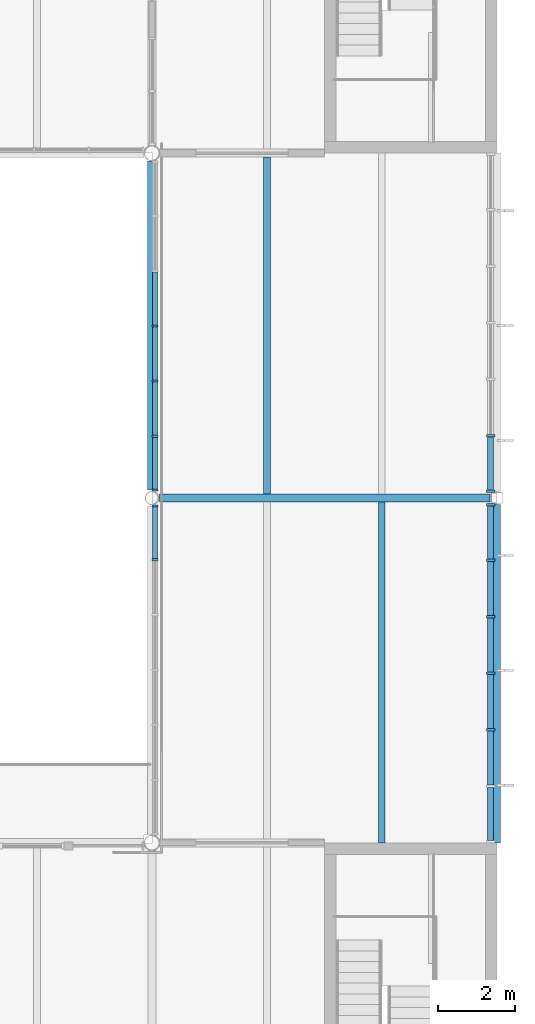
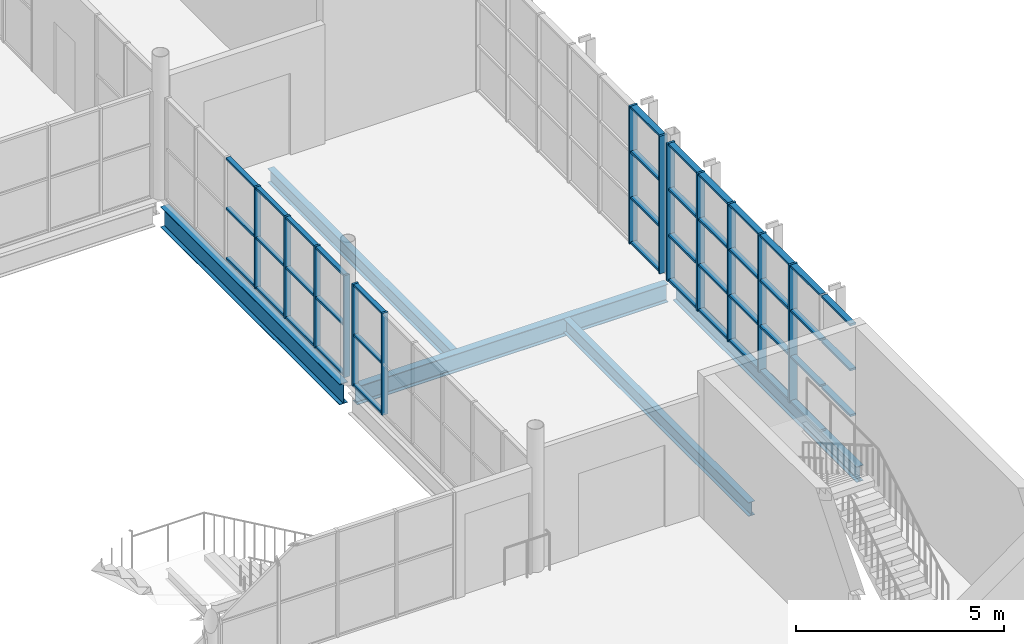
# One storey, part 19 of 57: 55 members, 5 beams, 4 elements without a shape of their own.
"""IFC4 building model written with IfcOpenShell, lengths in metres."""

import ifcopenshell
import ifcopenshell.guid

model = None  # the IFC model being written
_history = None  # IfcOwnerHistory: only IFC2X3 demands one
_inside = {}  # id of a spatial element -> (the spatial element, [elements in it])
_under = {}  # id of a project, library or spatial element -> (it, [spatial elements below it])
_declared = {}  # id of a project -> (the project, [libraries it declares])
_typed = {}  # id of a type object -> (the type object, [elements of that type])
_made_of = {}  # id of a material, layer set ... -> (it, [elements and type objects made of it])


def new_model(schema):
    """Start an empty IFC model of exactly this schema.

    Asked for "IFC4X3", IfcOpenShell would pick the latest addendum, in which some entities
    have other attributes; the version numbers below select the first issue.
    IFC2X3 requires an IfcOwnerHistory on every rooted entity: one is made here for all.
    """
    global model, _history
    if schema == "IFC4X3":
        model = ifcopenshell.file(schema_version=(4, 3, 0, 0))
    else:
        model = ifcopenshell.file(schema=schema)
    _inside.clear()
    _under.clear()
    _declared.clear()
    _typed.clear()
    _made_of.clear()
    _history = None
    if model.schema == "IFC2X3":
        org = make("IfcOrganization", Name="unknown")
        user = make(
            "IfcPersonAndOrganization",
            ThePerson=make("IfcPerson", FamilyName="unknown"),
            TheOrganization=org,
        )
        app = make(
            "IfcApplication",
            ApplicationDeveloper=org,
            Version="unknown",
            ApplicationFullName="unknown",
            ApplicationIdentifier="unknown",
        )
        _history = make(
            "IfcOwnerHistory",
            OwningUser=user,
            OwningApplication=app,
            ChangeAction="ADDED",
            CreationDate=0,
        )
    return model


def make(cls, **values):
    """One entity of the class cls with the attributes given. An attribute that is None is left unset."""
    return model.create_entity(
        cls, **{name: value for name, value in values.items() if value is not None}
    )


def rooted(cls, **values):
    """An entity with a GlobalId (a new one), such as an element, a storey or a relation."""
    return make(cls, GlobalId=ifcopenshell.guid.new(), OwnerHistory=_history, **values)


def si_unit(unit_type, name, prefix=None):
    """IfcSIUnit, for example si_unit("LENGTHUNIT", "METRE", prefix="MILLI")."""
    return make("IfcSIUnit", UnitType=unit_type, Prefix=prefix, Name=name)


def assignment(units):
    """IfcUnitAssignment: the units of a project."""
    return None if units is None else make("IfcUnitAssignment", Units=units)


def point(xyz):
    """IfcCartesianPoint."""
    return None if xyz is None else make("IfcCartesianPoint", Coordinates=xyz)


def direction(xyz):
    """IfcDirection."""
    return None if xyz is None else make("IfcDirection", DirectionRatios=xyz)


def frame(location, z_axis=None, x_axis=None):
    """IfcAxis2Placement3D, a coordinate frame: its origin and axes. An axis left out is left unset."""
    return make(
        "IfcAxis2Placement3D",
        Location=point(location),
        Axis=direction(z_axis),
        RefDirection=direction(x_axis),
    )


def frame_2d(location, x_axis=None):
    """IfcAxis2Placement2D, a coordinate frame in the plane: its origin and x axis."""
    return make(
        "IfcAxis2Placement2D", Location=point(location), RefDirection=direction(x_axis)
    )


def origin():
    """The frame at (0, 0, 0) with its axes left unset."""
    return frame((0.0, 0.0, 0.0))


def origin_2d():
    """The frame at (0, 0) in the plane with its x axis left unset."""
    return frame_2d((0.0, 0.0))


def place(relative_to, where):
    """IfcLocalPlacement: puts the frame where relative to a parent placement (None: the world)."""
    return make(
        "IfcLocalPlacement", PlacementRelTo=relative_to, RelativePlacement=where
    )


def context(
    kind, dimensions, precision=None, world=None, true_north=None, identifier=None
):
    """IfcGeometricRepresentationContext, for example the 3D "Model" context."""
    return make(
        "IfcGeometricRepresentationContext",
        ContextIdentifier=identifier,
        ContextType=kind,
        CoordinateSpaceDimension=dimensions,
        Precision=precision,
        WorldCoordinateSystem=world,
        TrueNorth=true_north,
    )


def subcontext(parent, identifier, kind, view, scale=None):
    """IfcGeometricRepresentationSubContext, for example "Body" below "Model"."""
    return make(
        "IfcGeometricRepresentationSubContext",
        ContextIdentifier=identifier,
        ContextType=kind,
        ParentContext=parent,
        TargetScale=scale,
        TargetView=view,
    )


def project(units=None, contexts=None):
    """IfcProject with its units and contexts."""
    return rooted(
        "IfcProject",
        Name="project",
        RepresentationContexts=contexts,
        UnitsInContext=assignment(units),
    )


def spatial(cls, under=None, at=None, **own):
    """A site, building, storey or space (cls), placed at a placement, below another one or the project."""
    s = rooted(cls, ObjectPlacement=at, **own)
    if under is not None:
        _under.setdefault(under.id(), (under, []))[1].append(s)
    return s


def profile(cls, at=None, kind="AREA", **sizes):
    """A parametric profile (cls). Its sizes go by their IFC names, for example OverallWidth=200.0."""
    return make(cls, ProfileType=kind, Position=at, **sizes)


def rectangle(**sizes):
    """IfcRectangleProfileDef."""
    return profile("IfcRectangleProfileDef", **sizes)


def i_section(**sizes):
    """IfcIShapeProfileDef."""
    return profile("IfcIShapeProfileDef", **sizes)


def extrude(swept, where, along, depth):
    """IfcExtrudedAreaSolid: the profile swept, set in the frame where, extruded along a direction by depth."""
    return make(
        "IfcExtrudedAreaSolid",
        SweptArea=swept,
        Position=where,
        ExtrudedDirection=direction(along),
        Depth=depth,
    )


def shape(context_of_items, identifier, shape_type, items):
    """IfcShapeRepresentation: the items that make up one representation, for example the "Body"."""
    return make(
        "IfcShapeRepresentation",
        ContextOfItems=context_of_items,
        RepresentationIdentifier=identifier,
        RepresentationType=shape_type,
        Items=items,
    )


def material(Name=None, Category=None):
    """IfcMaterial."""
    return make("IfcMaterial", Name=Name, Category=Category)


def layer(
    of_material, thickness, ventilated=None, Name=None, Category=None, Priority=None
):
    """IfcMaterialLayer: one layer of a wall or slab, of a material (None: an air gap)."""
    return make(
        "IfcMaterialLayer",
        Material=of_material,
        LayerThickness=thickness,
        IsVentilated=ventilated,
        Name=Name,
        Category=Category,
        Priority=Priority,
    )


def layer_set(layers, Name=None):
    """IfcMaterialLayerSet."""
    return make("IfcMaterialLayerSet", MaterialLayers=layers, LayerSetName=Name)


def material_profile(
    of_material, cross_section, Name=None, Category=None, Priority=None
):
    """IfcMaterialProfile: a cross section and its material."""
    return make(
        "IfcMaterialProfile",
        Name=Name,
        Material=of_material,
        Profile=cross_section,
        Priority=Priority,
        Category=Category,
    )


def profile_set(profiles, Name=None, composite=None):
    """IfcMaterialProfileSet."""
    return make(
        "IfcMaterialProfileSet",
        Name=Name,
        MaterialProfiles=profiles,
        CompositeProfile=composite,
    )


def made_of(thing, what):
    """Note that an element or type object is made of a material, layer set ...; save() writes the relation."""
    if what is not None:
        _made_of.setdefault(what.id(), (what, []))[1].append(thing)
    return thing


def type_object(cls, material=None, **own):
    """A type object (cls), such as IfcWallType, which elements share."""
    return made_of(rooted(cls, **own), material)


def element(
    cls,
    number,
    at=None,
    inside=None,
    cuts=None,
    type_object=None,
    material=None,
    context=None,
    identifier="Body",
    shape_type=None,
    held_by="IfcProductDefinitionShape",
    body=None,
    shapes=None,
    **own,
):
    """One element of the class cls, such as IfcWall. Its Tag is "e" and its number.

    at: its placement. inside: the storey or other place that contains it. cuts: it is an
    opening in that element (IfcRelVoidsElement). A single representation is given by context,
    identifier, shape_type and body (its items); several are given by shapes. held_by: the class
    of the entity that holds the representations. save() writes the other relations.
    """
    e = rooted(cls, Tag="e%d" % number, ObjectPlacement=at, **own)
    if body is not None:
        shapes = [shape(context, identifier, shape_type, body)]
    if shapes is not None:
        e.Representation = make(held_by, Representations=shapes)
    if inside is not None:
        _inside.setdefault(inside.id(), (inside, []))[1].append(e)
    if cuts is not None:
        rooted(
            "IfcRelVoidsElement", RelatingBuildingElement=cuts, RelatedOpeningElement=e
        )
    if type_object is not None:
        _typed.setdefault(type_object.id(), (type_object, []))[1].append(e)
    return made_of(e, material)


def aggregate(whole, parts):
    """IfcRelAggregates: a whole, such as a stair, and the parts it consists of."""
    return rooted("IfcRelAggregates", RelatingObject=whole, RelatedObjects=parts)


def save(model, path):
    """Write the relations noted so far, then the file.

    IfcRelAggregates (storeys below a building ...), IfcRelContainedInSpatialStructure (elements
    in a storey), IfcRelDefinesByType, IfcRelAssociatesMaterial and IfcRelDeclares: one each for
    every whole, place, type object, material and project.
    """
    for whole, parts in _under.values():
        aggregate(whole, parts)
    for where, things in _inside.values():
        rooted(
            "IfcRelContainedInSpatialStructure",
            RelatedElements=things,
            RelatingStructure=where,
        )
    for kind, things in _typed.values():
        rooted("IfcRelDefinesByType", RelatedObjects=things, RelatingType=kind)
    for what, things in _made_of.values():
        rooted("IfcRelAssociatesMaterial", RelatedObjects=things, RelatingMaterial=what)
    for by, libraries in _declared.values():
        rooted("IfcRelDeclares", RelatingContext=by, RelatedDefinitions=libraries)
    model.write(path)


model = new_model("IFC4")

# Units and contexts
model_context = context("Model", 3, precision=1e-05, world=origin(), true_north=direction((0.0, 1.0)))
body_context = subcontext(model_context, "Body", "Model", "MODEL_VIEW")
ifc_project = project(units=[si_unit("LENGTHUNIT", "METRE"), si_unit("AREAUNIT", "SQUARE_METRE"), si_unit("VOLUMEUNIT", "CUBIC_METRE"), si_unit("PLANEANGLEUNIT", "RADIAN"), si_unit("MASSUNIT", "GRAM", prefix="KILO")], contexts=[model_context])

# Site, building, storey
site_placement = place(None, origin())
site = spatial("IfcSite", under=ifc_project, at=site_placement, CompositionType="ELEMENT")
building_placement = place(site_placement, origin())
building = spatial("IfcBuilding", under=site, at=building_placement, Name="Halyard Row Museum", CompositionType="ELEMENT")
storey_placement = place(building_placement, frame((0.0, 0.0, 5.0)))
storey = spatial("IfcBuildingStorey", under=building, at=storey_placement, Name="L01", CompositionType="ELEMENT", Elevation=5.0)

# Curtain wall, members
ifc_material_1 = material(Name="Double glazed unit, low-emissivity", Category="glass")
ifc_layer_1 = layer(ifc_material_1, 0.219970703125)
ifc_layer_set_1 = layer_set([ifc_layer_1], Name="Double glazed unit, low-emissivity")
curtain_wall_type_1 = type_object("IfcCurtainWallType", Name="Curtain wall unitised 220 deep", PredefinedType="NOTDEFINED", material=ifc_layer_set_1)
curtain_wall_1_placement = place(storey_placement, origin())
curtain_wall_1 = element("IfcCurtainWall", 1, at=curtain_wall_1_placement, inside=storey, type_object=curtain_wall_type_1, Name="Curtain wall CW020", PredefinedType="NOTDEFINED")
ifc_material_2 = material(Name="Powder-coated aluminium section", Category="aluminium")
ifc_material_profile_1 = material_profile(ifc_material_2, rectangle(XDim=0.219970703125, YDim=0.06005859375, at=origin_2d()), Name="220x60 mullion")
ifc_profile_set_1 = profile_set([ifc_material_profile_1], Name="Powder-coated aluminium section")
member_type_1 = type_object("IfcMemberType", Name="Curtain wall mullion CM3 60 x 220", PredefinedType="MULLION", material=ifc_profile_set_1)
member_1_placement = place(storey_placement, frame((107.840087890625, 11.949951171875, 0.0), z_axis=(0.0, 0.0, 1.0), x_axis=(-1.0, 0.0, 0.0)))
member_1 = element("IfcMember", 2, at=member_1_placement, type_object=member_type_1, Name="CW020 mullion 3", PredefinedType="MULLION", context=body_context, shape_type="SweptSolid", body=[
    extrude(rectangle(XDim=0.219970703125, YDim=0.06005859375, at=origin_2d()), origin(), (0.0, 0.0, 1.0), 4.034912109375),
])
member_2_placement = place(storey_placement, frame((107.840087890625, 13.425048828125, 0.0), z_axis=(0.0, 0.0, 1.0), x_axis=(-1.0, 0.0, 0.0)))
member_2 = element("IfcMember", 3, at=member_2_placement, type_object=member_type_1, Name="CW020 mullion 4", PredefinedType="MULLION", context=body_context, shape_type="SweptSolid", body=[
    extrude(rectangle(XDim=0.219970703125, YDim=0.06005859375, at=origin_2d()), origin(), (0.0, 0.0, 1.0), 4.034912109375),
])
member_3_placement = place(storey_placement, frame((107.840087890625, 14.89990234375, 0.0), z_axis=(0.0, 0.0, 1.0), x_axis=(-1.0, 0.0, 0.0)))
member_3 = element("IfcMember", 4, at=member_3_placement, type_object=member_type_1, Name="CW020 mullion 5", PredefinedType="MULLION", context=body_context, shape_type="SweptSolid", body=[
    extrude(rectangle(XDim=0.219970703125, YDim=0.06005859375, at=origin_2d()), origin(), (0.0, 0.0, 1.0), 4.034912109375),
])
member_4_placement = place(storey_placement, frame((107.840087890625, 16.375, 0.0), z_axis=(0.0, 0.0, 1.0), x_axis=(-1.0, 0.0, 0.0)))
member_4 = element("IfcMember", 5, at=member_4_placement, type_object=member_type_1, Name="CW020 mullion 6", PredefinedType="MULLION", context=body_context, shape_type="SweptSolid", body=[
    extrude(rectangle(XDim=0.219970703125, YDim=0.06005859375, at=origin_2d()), origin(), (0.0, 0.0, 1.0), 4.034912109375),
])
member_5_placement = place(storey_placement, frame((107.840087890625, 17.820068359375, 0.0), z_axis=(0.0, 0.0, 1.0), x_axis=(-1.0, 0.0, 0.0)))
member_5 = element("IfcMember", 6, at=member_5_placement, type_object=member_type_1, Name="CW020 mullion 7", PredefinedType="MULLION", context=body_context, shape_type="SweptSolid", body=[
    extrude(rectangle(XDim=0.219970703125, YDim=0.06005859375, at=origin_2d()), origin(), (0.0, 0.0, 1.0), 4.034912109375),
])

curtain_wall_2_placement = place(storey_placement, origin())
curtain_wall_2 = element("IfcCurtainWall", 7, at=curtain_wall_2_placement, inside=storey, type_object=curtain_wall_type_1, Name="Curtain wall CW021", PredefinedType="NOTDEFINED")
member_6_placement = place(storey_placement, frame((107.840087890625, 18.179931640625, 0.0), z_axis=(0.0, 0.0, 1.0), x_axis=(-1.0, 0.0, 0.0)))
member_6 = element("IfcMember", 8, at=member_6_placement, type_object=member_type_1, Name="CW021 mullion 1", PredefinedType="MULLION", context=body_context, shape_type="SweptSolid", body=[
    extrude(rectangle(XDim=0.219970703125, YDim=0.06005859375, at=origin_2d()), origin(), (0.0, 0.0, 1.0), 4.034912109375),
])
member_7_placement = place(storey_placement, frame((107.840087890625, 19.625, 0.0), z_axis=(0.0, 0.0, 1.0), x_axis=(-1.0, 0.0, 0.0)))
member_7 = element("IfcMember", 9, at=member_7_placement, type_object=member_type_1, Name="CW021 mullion 2", PredefinedType="MULLION", context=body_context, shape_type="SweptSolid", body=[
    extrude(rectangle(XDim=0.219970703125, YDim=0.06005859375, at=origin_2d()), origin(), (0.0, 0.0, 1.0), 4.034912109375),
])

ifc_material_3 = material(Name="Fire-resisting laminated glazing", Category="glass")
ifc_layer_2 = layer(ifc_material_3, 0.159912109375)
ifc_layer_set_2 = layer_set([ifc_layer_2], Name="Fire-resisting laminated glazing")
curtain_wall_type_2 = type_object("IfcCurtainWallType", Name="Curtain wall atrium screen 160 deep", PredefinedType="NOTDEFINED", material=ifc_layer_set_2)
curtain_wall_3_placement = place(storey_placement, origin())
curtain_wall_3 = element("IfcCurtainWall", 10, at=curtain_wall_3_placement, inside=storey, type_object=curtain_wall_type_2, Name="Curtain wall CW078", PredefinedType="NOTDEFINED")
ifc_material_4 = material(Name="Powder-coated aluminium section", Category="aluminium")
ifc_material_profile_2 = material_profile(ifc_material_4, rectangle(XDim=0.159912109375, YDim=0.06005859375, at=origin_2d()), Name="160x60 mullion")
ifc_profile_set_2 = profile_set([ifc_material_profile_2], Name="Powder-coated aluminium section")
member_type_2 = type_object("IfcMemberType", Name="Curtain wall mullion CM5 60 x 160", PredefinedType="MULLION", material=ifc_profile_set_2)
member_8_placement = place(storey_placement, frame((99.080078125, 16.3857421875, 0.0), z_axis=(0.0, 0.0, 1.0), x_axis=(-1.0, 0.0, 0.0)))
member_8 = element("IfcMember", 11, at=member_8_placement, type_object=member_type_2, Name="CW078 mullion 6", PredefinedType="MULLION", context=body_context, shape_type="SweptSolid", body=[
    extrude(rectangle(XDim=0.159912109375, YDim=0.06005859375, at=origin_2d()), origin(), (0.0, 0.0, 1.0), 2.985107421875),
])
member_9_placement = place(storey_placement, frame((99.080078125, 17.792236328125, 0.0), z_axis=(0.0, 0.0, 1.0), x_axis=(-1.0, 0.0, 0.0)))
member_9 = element("IfcMember", 12, at=member_9_placement, type_object=member_type_2, Name="CW078 mullion 7", PredefinedType="MULLION", context=body_context, shape_type="SweptSolid", body=[
    extrude(rectangle(XDim=0.159912109375, YDim=0.06005859375, at=origin_2d()), origin(), (0.0, 0.0, 1.0), 2.985107421875),
])

curtain_wall_4_placement = place(storey_placement, origin())
curtain_wall_4 = element("IfcCurtainWall", 13, at=curtain_wall_4_placement, inside=storey, type_object=curtain_wall_type_2, Name="Curtain wall CW079", PredefinedType="NOTDEFINED")
member_10_placement = place(storey_placement, frame((99.080078125, 18.207763671875, 0.0), z_axis=(0.0, 0.0, 1.0), x_axis=(-1.0, 0.0, 0.0)))
member_10 = element("IfcMember", 14, at=member_10_placement, type_object=member_type_2, Name="CW079 mullion 1", PredefinedType="MULLION", context=body_context, shape_type="SweptSolid", body=[
    extrude(rectangle(XDim=0.159912109375, YDim=0.06005859375, at=origin_2d()), origin(), (0.0, 0.0, 1.0), 2.985107421875),
])
member_11_placement = place(storey_placement, frame((99.080078125, 19.6142578125, 0.0), z_axis=(0.0, 0.0, 1.0), x_axis=(-1.0, 0.0, 0.0)))
member_11 = element("IfcMember", 15, at=member_11_placement, type_object=member_type_2, Name="CW079 mullion 2", PredefinedType="MULLION", context=body_context, shape_type="SweptSolid", body=[
    extrude(rectangle(XDim=0.159912109375, YDim=0.06005859375, at=origin_2d()), origin(), (0.0, 0.0, 1.0), 2.985107421875),
])
member_12_placement = place(storey_placement, frame((99.080078125, 21.05078125, 0.0), z_axis=(0.0, 0.0, 1.0), x_axis=(-1.0, 0.0, 0.0)))
member_12 = element("IfcMember", 16, at=member_12_placement, type_object=member_type_2, Name="CW079 mullion 3", PredefinedType="MULLION", context=body_context, shape_type="SweptSolid", body=[
    extrude(rectangle(XDim=0.159912109375, YDim=0.06005859375, at=origin_2d()), origin(), (0.0, 0.0, 1.0), 2.985107421875),
])
member_13_placement = place(storey_placement, frame((99.080078125, 22.4873046875, 0.0), z_axis=(0.0, 0.0, 1.0), x_axis=(-1.0, 0.0, 0.0)))
member_13 = element("IfcMember", 17, at=member_13_placement, type_object=member_type_2, Name="CW079 mullion 4", PredefinedType="MULLION", context=body_context, shape_type="SweptSolid", body=[
    extrude(rectangle(XDim=0.159912109375, YDim=0.06005859375, at=origin_2d()), origin(), (0.0, 0.0, 1.0), 2.985107421875),
])

# Member
ifc_material_5 = material(Name="Powder-coated aluminium section", Category="aluminium")
ifc_material_profile_3 = material_profile(ifc_material_5, rectangle(XDim=0.159912109375, YDim=0.06005859375, at=origin_2d()), Name="160x60 transom")
ifc_profile_set_3 = profile_set([ifc_material_profile_3], Name="Powder-coated aluminium section")
member_type_3 = type_object("IfcMemberType", Name="Curtain wall transom CT3 60 x 160", PredefinedType="USERDEFINED", material=ifc_profile_set_3)
member_14_placement = place(storey_placement, frame((107.840087890625, 9.06005859375, 1.344970703125), z_axis=(0.0, 1.0, 0.0), x_axis=(-1.0, 0.0, 0.0)))
member_14 = element("IfcMember", 18, at=member_14_placement, type_object=member_type_3, Name="CW020 transom 1.2", ObjectType="TRANSOM", PredefinedType="USERDEFINED", context=body_context, shape_type="SweptSolid", body=[
    extrude(rectangle(XDim=0.159912109375, YDim=0.06005859375, at=origin_2d()), origin(), (0.0, 0.0, 1.0), 1.385009765625),
])

member_15_placement = place(storey_placement, frame((107.840087890625, 9.06005859375, 2.68994140625), z_axis=(0.0, 1.0, 0.0), x_axis=(-1.0, 0.0, 0.0)))
member_15 = element("IfcMember", 19, at=member_15_placement, type_object=member_type_3, Name="CW020 transom 1.3", ObjectType="TRANSOM", PredefinedType="USERDEFINED", context=body_context, shape_type="SweptSolid", body=[
    extrude(rectangle(XDim=0.159912109375, YDim=0.06005859375, at=origin_2d()), origin(), (0.0, 0.0, 1.0), 1.385009765625),
])

member_16_placement = place(storey_placement, frame((107.840087890625, 9.06005859375, 4.0048828125), z_axis=(0.0, 1.0, 0.0), x_axis=(-1.0, 0.0, 0.0)))
member_16 = element("IfcMember", 20, at=member_16_placement, type_object=member_type_3, Name="CW020 transom 1.4", ObjectType="TRANSOM", PredefinedType="USERDEFINED", context=body_context, shape_type="SweptSolid", body=[
    extrude(rectangle(XDim=0.159912109375, YDim=0.06005859375, at=origin_2d()), origin(), (0.0, 0.0, 1.0), 1.385009765625),
])

member_17_placement = place(storey_placement, frame((107.840087890625, 10.5048828125, 0.030029296875), z_axis=(0.0, 1.0, 0.0), x_axis=(-1.0, 0.0, 0.0)))
member_17 = element("IfcMember", 21, at=member_17_placement, type_object=member_type_3, Name="CW020 transom 2.1", ObjectType="TRANSOM", PredefinedType="USERDEFINED", context=body_context, shape_type="SweptSolid", body=[
    extrude(rectangle(XDim=0.159912109375, YDim=0.06005859375, at=origin_2d()), origin(), (0.0, 0.0, 1.0), 1.4150390625),
])

member_18_placement = place(storey_placement, frame((107.840087890625, 10.5048828125, 1.344970703125), z_axis=(0.0, 1.0, 0.0), x_axis=(-1.0, 0.0, 0.0)))
member_18 = element("IfcMember", 22, at=member_18_placement, type_object=member_type_3, Name="CW020 transom 2.2", ObjectType="TRANSOM", PredefinedType="USERDEFINED", context=body_context, shape_type="SweptSolid", body=[
    extrude(rectangle(XDim=0.159912109375, YDim=0.06005859375, at=origin_2d()), origin(), (0.0, 0.0, 1.0), 1.4150390625),
])

member_19_placement = place(storey_placement, frame((107.840087890625, 10.5048828125, 2.68994140625), z_axis=(0.0, 1.0, 0.0), x_axis=(-1.0, 0.0, 0.0)))
member_19 = element("IfcMember", 23, at=member_19_placement, type_object=member_type_3, Name="CW020 transom 2.3", ObjectType="TRANSOM", PredefinedType="USERDEFINED", context=body_context, shape_type="SweptSolid", body=[
    extrude(rectangle(XDim=0.159912109375, YDim=0.06005859375, at=origin_2d()), origin(), (0.0, 0.0, 1.0), 1.4150390625),
])

member_20_placement = place(storey_placement, frame((107.840087890625, 10.5048828125, 4.0048828125), z_axis=(0.0, 1.0, 0.0), x_axis=(-1.0, 0.0, 0.0)))
member_20 = element("IfcMember", 24, at=member_20_placement, type_object=member_type_3, Name="CW020 transom 2.4", ObjectType="TRANSOM", PredefinedType="USERDEFINED", context=body_context, shape_type="SweptSolid", body=[
    extrude(rectangle(XDim=0.159912109375, YDim=0.06005859375, at=origin_2d()), origin(), (0.0, 0.0, 1.0), 1.4150390625),
])

member_21_placement = place(storey_placement, frame((107.840087890625, 11.97998046875, 0.030029296875), z_axis=(0.0, 1.0, 0.0), x_axis=(-1.0, 0.0, 0.0)))
member_21 = element("IfcMember", 25, at=member_21_placement, type_object=member_type_3, Name="CW020 transom 3.1", ObjectType="TRANSOM", PredefinedType="USERDEFINED", context=body_context, shape_type="SweptSolid", body=[
    extrude(rectangle(XDim=0.159912109375, YDim=0.06005859375, at=origin_2d()), origin(), (0.0, 0.0, 1.0), 1.4150390625),
])

member_22_placement = place(storey_placement, frame((107.840087890625, 11.97998046875, 1.344970703125), z_axis=(0.0, 1.0, 0.0), x_axis=(-1.0, 0.0, 0.0)))
member_22 = element("IfcMember", 26, at=member_22_placement, type_object=member_type_3, Name="CW020 transom 3.2", ObjectType="TRANSOM", PredefinedType="USERDEFINED", context=body_context, shape_type="SweptSolid", body=[
    extrude(rectangle(XDim=0.159912109375, YDim=0.06005859375, at=origin_2d()), origin(), (0.0, 0.0, 1.0), 1.4150390625),
])

member_23_placement = place(storey_placement, frame((107.840087890625, 11.97998046875, 2.68994140625), z_axis=(0.0, 1.0, 0.0), x_axis=(-1.0, 0.0, 0.0)))
member_23 = element("IfcMember", 27, at=member_23_placement, type_object=member_type_3, Name="CW020 transom 3.3", ObjectType="TRANSOM", PredefinedType="USERDEFINED", context=body_context, shape_type="SweptSolid", body=[
    extrude(rectangle(XDim=0.159912109375, YDim=0.06005859375, at=origin_2d()), origin(), (0.0, 0.0, 1.0), 1.4150390625),
])

member_24_placement = place(storey_placement, frame((107.840087890625, 11.97998046875, 4.0048828125), z_axis=(0.0, 1.0, 0.0), x_axis=(-1.0, 0.0, 0.0)))
member_24 = element("IfcMember", 28, at=member_24_placement, type_object=member_type_3, Name="CW020 transom 3.4", ObjectType="TRANSOM", PredefinedType="USERDEFINED", context=body_context, shape_type="SweptSolid", body=[
    extrude(rectangle(XDim=0.159912109375, YDim=0.06005859375, at=origin_2d()), origin(), (0.0, 0.0, 1.0), 1.4150390625),
])

member_25_placement = place(storey_placement, frame((107.840087890625, 13.455078125, 0.030029296875), z_axis=(0.0, 1.0, 0.0), x_axis=(-1.0, 0.0, 0.0)))
member_25 = element("IfcMember", 29, at=member_25_placement, type_object=member_type_3, Name="CW020 transom 4.1", ObjectType="TRANSOM", PredefinedType="USERDEFINED", context=body_context, shape_type="SweptSolid", body=[
    extrude(rectangle(XDim=0.159912109375, YDim=0.06005859375, at=origin_2d()), origin(), (0.0, 0.0, 1.0), 1.4150390625),
])

member_26_placement = place(storey_placement, frame((107.840087890625, 13.455078125, 1.344970703125), z_axis=(0.0, 1.0, 0.0), x_axis=(-1.0, 0.0, 0.0)))
member_26 = element("IfcMember", 30, at=member_26_placement, type_object=member_type_3, Name="CW020 transom 4.2", ObjectType="TRANSOM", PredefinedType="USERDEFINED", context=body_context, shape_type="SweptSolid", body=[
    extrude(rectangle(XDim=0.159912109375, YDim=0.06005859375, at=origin_2d()), origin(), (0.0, 0.0, 1.0), 1.4150390625),
])

member_27_placement = place(storey_placement, frame((107.840087890625, 13.455078125, 2.68994140625), z_axis=(0.0, 1.0, 0.0), x_axis=(-1.0, 0.0, 0.0)))
member_27 = element("IfcMember", 31, at=member_27_placement, type_object=member_type_3, Name="CW020 transom 4.3", ObjectType="TRANSOM", PredefinedType="USERDEFINED", context=body_context, shape_type="SweptSolid", body=[
    extrude(rectangle(XDim=0.159912109375, YDim=0.06005859375, at=origin_2d()), origin(), (0.0, 0.0, 1.0), 1.4150390625),
])

member_28_placement = place(storey_placement, frame((107.840087890625, 13.455078125, 4.0048828125), z_axis=(0.0, 1.0, 0.0), x_axis=(-1.0, 0.0, 0.0)))
member_28 = element("IfcMember", 32, at=member_28_placement, type_object=member_type_3, Name="CW020 transom 4.4", ObjectType="TRANSOM", PredefinedType="USERDEFINED", context=body_context, shape_type="SweptSolid", body=[
    extrude(rectangle(XDim=0.159912109375, YDim=0.06005859375, at=origin_2d()), origin(), (0.0, 0.0, 1.0), 1.4150390625),
])

member_29_placement = place(storey_placement, frame((107.840087890625, 14.929931640625, 0.030029296875), z_axis=(0.0, 1.0, 0.0), x_axis=(-1.0, 0.0, 0.0)))
member_29 = element("IfcMember", 33, at=member_29_placement, type_object=member_type_3, Name="CW020 transom 5.1", ObjectType="TRANSOM", PredefinedType="USERDEFINED", context=body_context, shape_type="SweptSolid", body=[
    extrude(rectangle(XDim=0.159912109375, YDim=0.06005859375, at=origin_2d()), origin(), (0.0, 0.0, 1.0), 1.4150390625),
])

member_30_placement = place(storey_placement, frame((107.840087890625, 14.929931640625, 1.344970703125), z_axis=(0.0, 1.0, 0.0), x_axis=(-1.0, 0.0, 0.0)))
member_30 = element("IfcMember", 34, at=member_30_placement, type_object=member_type_3, Name="CW020 transom 5.2", ObjectType="TRANSOM", PredefinedType="USERDEFINED", context=body_context, shape_type="SweptSolid", body=[
    extrude(rectangle(XDim=0.159912109375, YDim=0.06005859375, at=origin_2d()), origin(), (0.0, 0.0, 1.0), 1.4150390625),
])

member_31_placement = place(storey_placement, frame((107.840087890625, 14.929931640625, 2.68994140625), z_axis=(0.0, 1.0, 0.0), x_axis=(-1.0, 0.0, 0.0)))
member_31 = element("IfcMember", 35, at=member_31_placement, type_object=member_type_3, Name="CW020 transom 5.3", ObjectType="TRANSOM", PredefinedType="USERDEFINED", context=body_context, shape_type="SweptSolid", body=[
    extrude(rectangle(XDim=0.159912109375, YDim=0.06005859375, at=origin_2d()), origin(), (0.0, 0.0, 1.0), 1.4150390625),
])

member_32_placement = place(storey_placement, frame((107.840087890625, 14.929931640625, 4.0048828125), z_axis=(0.0, 1.0, 0.0), x_axis=(-1.0, 0.0, 0.0)))
member_32 = element("IfcMember", 36, at=member_32_placement, type_object=member_type_3, Name="CW020 transom 5.4", ObjectType="TRANSOM", PredefinedType="USERDEFINED", context=body_context, shape_type="SweptSolid", body=[
    extrude(rectangle(XDim=0.159912109375, YDim=0.06005859375, at=origin_2d()), origin(), (0.0, 0.0, 1.0), 1.4150390625),
])

member_33_placement = place(storey_placement, frame((107.840087890625, 16.405029296875, 0.030029296875), z_axis=(0.0, 1.0, 0.0), x_axis=(-1.0, 0.0, 0.0)))
member_33 = element("IfcMember", 37, at=member_33_placement, type_object=member_type_3, Name="CW020 transom 6.1", ObjectType="TRANSOM", PredefinedType="USERDEFINED", context=body_context, shape_type="SweptSolid", body=[
    extrude(rectangle(XDim=0.159912109375, YDim=0.06005859375, at=origin_2d()), origin(), (0.0, 0.0, 1.0), 1.385009765625),
])

member_34_placement = place(storey_placement, frame((107.840087890625, 16.405029296875, 1.344970703125), z_axis=(0.0, 1.0, 0.0), x_axis=(-1.0, 0.0, 0.0)))
member_34 = element("IfcMember", 38, at=member_34_placement, type_object=member_type_3, Name="CW020 transom 6.2", ObjectType="TRANSOM", PredefinedType="USERDEFINED", context=body_context, shape_type="SweptSolid", body=[
    extrude(rectangle(XDim=0.159912109375, YDim=0.06005859375, at=origin_2d()), origin(), (0.0, 0.0, 1.0), 1.385009765625),
])

member_35_placement = place(storey_placement, frame((107.840087890625, 16.405029296875, 2.68994140625), z_axis=(0.0, 1.0, 0.0), x_axis=(-1.0, 0.0, 0.0)))
member_35 = element("IfcMember", 39, at=member_35_placement, type_object=member_type_3, Name="CW020 transom 6.3", ObjectType="TRANSOM", PredefinedType="USERDEFINED", context=body_context, shape_type="SweptSolid", body=[
    extrude(rectangle(XDim=0.159912109375, YDim=0.06005859375, at=origin_2d()), origin(), (0.0, 0.0, 1.0), 1.385009765625),
])

member_36_placement = place(storey_placement, frame((107.840087890625, 16.405029296875, 4.0048828125), z_axis=(0.0, 1.0, 0.0), x_axis=(-1.0, 0.0, 0.0)))
member_36 = element("IfcMember", 40, at=member_36_placement, type_object=member_type_3, Name="CW020 transom 6.4", ObjectType="TRANSOM", PredefinedType="USERDEFINED", context=body_context, shape_type="SweptSolid", body=[
    extrude(rectangle(XDim=0.159912109375, YDim=0.06005859375, at=origin_2d()), origin(), (0.0, 0.0, 1.0), 1.385009765625),
])

aggregate(curtain_wall_1, [member_1, member_2, member_3, member_4, member_5, member_14, member_15, member_16, member_17, member_18, member_19, member_20, member_21, member_22, member_23, member_24, member_25, member_26, member_27, member_28, member_29, member_30, member_31, member_32, member_33, member_34, member_35, member_36])

member_37_placement = place(storey_placement, frame((107.840087890625, 18.2099609375, 0.030029296875), z_axis=(0.0, 1.0, 0.0), x_axis=(-1.0, 0.0, 0.0)))
member_37 = element("IfcMember", 41, at=member_37_placement, type_object=member_type_3, Name="CW021 transom 1.1", ObjectType="TRANSOM", PredefinedType="USERDEFINED", context=body_context, shape_type="SweptSolid", body=[
    extrude(rectangle(XDim=0.159912109375, YDim=0.06005859375, at=origin_2d()), origin(), (0.0, 0.0, 1.0), 1.385009765625),
])

member_38_placement = place(storey_placement, frame((107.840087890625, 18.2099609375, 1.344970703125), z_axis=(0.0, 1.0, 0.0), x_axis=(-1.0, 0.0, 0.0)))
member_38 = element("IfcMember", 42, at=member_38_placement, type_object=member_type_3, Name="CW021 transom 1.2", ObjectType="TRANSOM", PredefinedType="USERDEFINED", context=body_context, shape_type="SweptSolid", body=[
    extrude(rectangle(XDim=0.159912109375, YDim=0.06005859375, at=origin_2d()), origin(), (0.0, 0.0, 1.0), 1.385009765625),
])

member_39_placement = place(storey_placement, frame((107.840087890625, 18.2099609375, 2.68994140625), z_axis=(0.0, 1.0, 0.0), x_axis=(-1.0, 0.0, 0.0)))
member_39 = element("IfcMember", 43, at=member_39_placement, type_object=member_type_3, Name="CW021 transom 1.3", ObjectType="TRANSOM", PredefinedType="USERDEFINED", context=body_context, shape_type="SweptSolid", body=[
    extrude(rectangle(XDim=0.159912109375, YDim=0.06005859375, at=origin_2d()), origin(), (0.0, 0.0, 1.0), 1.385009765625),
])

member_40_placement = place(storey_placement, frame((107.840087890625, 18.2099609375, 4.0048828125), z_axis=(0.0, 1.0, 0.0), x_axis=(-1.0, 0.0, 0.0)))
member_40 = element("IfcMember", 44, at=member_40_placement, type_object=member_type_3, Name="CW021 transom 1.4", ObjectType="TRANSOM", PredefinedType="USERDEFINED", context=body_context, shape_type="SweptSolid", body=[
    extrude(rectangle(XDim=0.159912109375, YDim=0.06005859375, at=origin_2d()), origin(), (0.0, 0.0, 1.0), 1.385009765625),
])

aggregate(curtain_wall_2, [member_6, member_7, member_37, member_38, member_39, member_40])

ifc_material_6 = material(Name="Powder-coated aluminium section", Category="aluminium")
ifc_material_profile_4 = material_profile(ifc_material_6, rectangle(XDim=0.1201171875, YDim=0.06005859375, at=origin_2d()), Name="120x60 transom")
ifc_profile_set_4 = profile_set([ifc_material_profile_4], Name="Powder-coated aluminium section")
member_type_4 = type_object("IfcMemberType", Name="Curtain wall transom CT5 60 x 120", PredefinedType="USERDEFINED", material=ifc_profile_set_4)
member_41_placement = place(storey_placement, frame((99.080078125, 16.415771484375, 0.030029296875), z_axis=(0.0, 1.0, 0.0), x_axis=(-1.0, 0.0, 0.0)))
member_41 = element("IfcMember", 45, at=member_41_placement, type_object=member_type_4, Name="CW078 transom 6.1", ObjectType="TRANSOM", PredefinedType="USERDEFINED", context=body_context, shape_type="SweptSolid", body=[
    extrude(rectangle(XDim=0.1201171875, YDim=0.06005859375, at=origin_2d()), origin(), (0.0, 0.0, 1.0), 1.346435546875),
])

member_42_placement = place(storey_placement, frame((99.080078125, 16.415771484375, 1.492431640625), z_axis=(0.0, 1.0, 0.0), x_axis=(-1.0, 0.0, 0.0)))
member_42 = element("IfcMember", 46, at=member_42_placement, type_object=member_type_4, Name="CW078 transom 6.2", ObjectType="TRANSOM", PredefinedType="USERDEFINED", context=body_context, shape_type="SweptSolid", body=[
    extrude(rectangle(XDim=0.1201171875, YDim=0.06005859375, at=origin_2d()), origin(), (0.0, 0.0, 1.0), 1.346435546875),
])

member_43_placement = place(storey_placement, frame((99.080078125, 16.415771484375, 2.955078125), z_axis=(0.0, 1.0, 0.0), x_axis=(-1.0, 0.0, 0.0)))
member_43 = element("IfcMember", 47, at=member_43_placement, type_object=member_type_4, Name="CW078 transom 6.3", ObjectType="TRANSOM", PredefinedType="USERDEFINED", context=body_context, shape_type="SweptSolid", body=[
    extrude(rectangle(XDim=0.1201171875, YDim=0.06005859375, at=origin_2d()), origin(), (0.0, 0.0, 1.0), 1.346435546875),
])

aggregate(curtain_wall_3, [member_8, member_9, member_41, member_42, member_43])

member_44_placement = place(storey_placement, frame((99.080078125, 18.23779296875, 0.030029296875), z_axis=(0.0, 1.0, 0.0), x_axis=(-1.0, 0.0, 0.0)))
member_44 = element("IfcMember", 48, at=member_44_placement, type_object=member_type_4, Name="CW079 transom 1.1", ObjectType="TRANSOM", PredefinedType="USERDEFINED", context=body_context, shape_type="SweptSolid", body=[
    extrude(rectangle(XDim=0.1201171875, YDim=0.06005859375, at=origin_2d()), origin(), (0.0, 0.0, 1.0), 1.346435546875),
])

member_45_placement = place(storey_placement, frame((99.080078125, 18.23779296875, 1.492431640625), z_axis=(0.0, 1.0, 0.0), x_axis=(-1.0, 0.0, 0.0)))
member_45 = element("IfcMember", 49, at=member_45_placement, type_object=member_type_4, Name="CW079 transom 1.2", ObjectType="TRANSOM", PredefinedType="USERDEFINED", context=body_context, shape_type="SweptSolid", body=[
    extrude(rectangle(XDim=0.1201171875, YDim=0.06005859375, at=origin_2d()), origin(), (0.0, 0.0, 1.0), 1.346435546875),
])

member_46_placement = place(storey_placement, frame((99.080078125, 18.23779296875, 2.955078125), z_axis=(0.0, 1.0, 0.0), x_axis=(-1.0, 0.0, 0.0)))
member_46 = element("IfcMember", 50, at=member_46_placement, type_object=member_type_4, Name="CW079 transom 1.3", ObjectType="TRANSOM", PredefinedType="USERDEFINED", context=body_context, shape_type="SweptSolid", body=[
    extrude(rectangle(XDim=0.1201171875, YDim=0.06005859375, at=origin_2d()), origin(), (0.0, 0.0, 1.0), 1.346435546875),
])

member_47_placement = place(storey_placement, frame((99.080078125, 19.644287109375, 0.030029296875), z_axis=(0.0, 1.0, 0.0), x_axis=(-1.0, 0.0, 0.0)))
member_47 = element("IfcMember", 51, at=member_47_placement, type_object=member_type_4, Name="CW079 transom 2.1", ObjectType="TRANSOM", PredefinedType="USERDEFINED", context=body_context, shape_type="SweptSolid", body=[
    extrude(rectangle(XDim=0.1201171875, YDim=0.06005859375, at=origin_2d()), origin(), (0.0, 0.0, 1.0), 1.37646484375),
])

member_48_placement = place(storey_placement, frame((99.080078125, 19.644287109375, 1.492431640625), z_axis=(0.0, 1.0, 0.0), x_axis=(-1.0, 0.0, 0.0)))
member_48 = element("IfcMember", 52, at=member_48_placement, type_object=member_type_4, Name="CW079 transom 2.2", ObjectType="TRANSOM", PredefinedType="USERDEFINED", context=body_context, shape_type="SweptSolid", body=[
    extrude(rectangle(XDim=0.1201171875, YDim=0.06005859375, at=origin_2d()), origin(), (0.0, 0.0, 1.0), 1.37646484375),
])

member_49_placement = place(storey_placement, frame((99.080078125, 19.644287109375, 2.955078125), z_axis=(0.0, 1.0, 0.0), x_axis=(-1.0, 0.0, 0.0)))
member_49 = element("IfcMember", 53, at=member_49_placement, type_object=member_type_4, Name="CW079 transom 2.3", ObjectType="TRANSOM", PredefinedType="USERDEFINED", context=body_context, shape_type="SweptSolid", body=[
    extrude(rectangle(XDim=0.1201171875, YDim=0.06005859375, at=origin_2d()), origin(), (0.0, 0.0, 1.0), 1.37646484375),
])

member_50_placement = place(storey_placement, frame((99.080078125, 21.080810546875, 0.030029296875), z_axis=(0.0, 1.0, 0.0), x_axis=(-1.0, 0.0, 0.0)))
member_50 = element("IfcMember", 54, at=member_50_placement, type_object=member_type_4, Name="CW079 transom 3.1", ObjectType="TRANSOM", PredefinedType="USERDEFINED", context=body_context, shape_type="SweptSolid", body=[
    extrude(rectangle(XDim=0.1201171875, YDim=0.06005859375, at=origin_2d()), origin(), (0.0, 0.0, 1.0), 1.37646484375),
])

member_51_placement = place(storey_placement, frame((99.080078125, 21.080810546875, 1.492431640625), z_axis=(0.0, 1.0, 0.0), x_axis=(-1.0, 0.0, 0.0)))
member_51 = element("IfcMember", 55, at=member_51_placement, type_object=member_type_4, Name="CW079 transom 3.2", ObjectType="TRANSOM", PredefinedType="USERDEFINED", context=body_context, shape_type="SweptSolid", body=[
    extrude(rectangle(XDim=0.1201171875, YDim=0.06005859375, at=origin_2d()), origin(), (0.0, 0.0, 1.0), 1.37646484375),
])

member_52_placement = place(storey_placement, frame((99.080078125, 21.080810546875, 2.955078125), z_axis=(0.0, 1.0, 0.0), x_axis=(-1.0, 0.0, 0.0)))
member_52 = element("IfcMember", 56, at=member_52_placement, type_object=member_type_4, Name="CW079 transom 3.3", ObjectType="TRANSOM", PredefinedType="USERDEFINED", context=body_context, shape_type="SweptSolid", body=[
    extrude(rectangle(XDim=0.1201171875, YDim=0.06005859375, at=origin_2d()), origin(), (0.0, 0.0, 1.0), 1.37646484375),
])

member_53_placement = place(storey_placement, frame((99.080078125, 22.517333984375, 0.030029296875), z_axis=(0.0, 1.0, 0.0), x_axis=(-1.0, 0.0, 0.0)))
member_53 = element("IfcMember", 57, at=member_53_placement, type_object=member_type_4, Name="CW079 transom 4.1", ObjectType="TRANSOM", PredefinedType="USERDEFINED", context=body_context, shape_type="SweptSolid", body=[
    extrude(rectangle(XDim=0.1201171875, YDim=0.06005859375, at=origin_2d()), origin(), (0.0, 0.0, 1.0), 1.37646484375),
])

member_54_placement = place(storey_placement, frame((99.080078125, 22.517333984375, 1.492431640625), z_axis=(0.0, 1.0, 0.0), x_axis=(-1.0, 0.0, 0.0)))
member_54 = element("IfcMember", 58, at=member_54_placement, type_object=member_type_4, Name="CW079 transom 4.2", ObjectType="TRANSOM", PredefinedType="USERDEFINED", context=body_context, shape_type="SweptSolid", body=[
    extrude(rectangle(XDim=0.1201171875, YDim=0.06005859375, at=origin_2d()), origin(), (0.0, 0.0, 1.0), 1.37646484375),
])

member_55_placement = place(storey_placement, frame((99.080078125, 22.517333984375, 2.955078125), z_axis=(0.0, 1.0, 0.0), x_axis=(-1.0, 0.0, 0.0)))
member_55 = element("IfcMember", 59, at=member_55_placement, type_object=member_type_4, Name="CW079 transom 4.3", ObjectType="TRANSOM", PredefinedType="USERDEFINED", context=body_context, shape_type="SweptSolid", body=[
    extrude(rectangle(XDim=0.1201171875, YDim=0.06005859375, at=origin_2d()), origin(), (0.0, 0.0, 1.0), 1.37646484375),
])

aggregate(curtain_wall_4, [member_10, member_11, member_12, member_13, member_44, member_45, member_46, member_47, member_48, member_49, member_50, member_51, member_52, member_53, member_54, member_55])

# Beams
ifc_material_7 = material(Name="Steel Grade 300", Category="steel")
ifc_material_profile_5 = material_profile(ifc_material_7, i_section(OverallWidth=0.18994140625, OverallDepth=0.45751953125, WebThickness=0.009033203125, FlangeThickness=0.014404296875, FilletRadius=0.011474609375, at=origin_2d()), Name="460UB74.6")
ifc_profile_set_5 = profile_set([ifc_material_profile_5], Name="Steel Grade 300")
beam_type_1 = type_object("IfcBeamType", Name="Edge beam 460UB74.6", PredefinedType="BEAM", material=ifc_profile_set_5)
beam_1_placement = place(storey_placement, frame((108.0, 9.0, -0.393798828125), z_axis=(0.0, 1.0, 0.0), x_axis=(-1.0, 0.0, 0.0)))
element("IfcBeam", 60, at=beam_1_placement, inside=storey, type_object=beam_type_1, Name="Beam L01-081", PredefinedType="BEAM", context=body_context, shape_type="SweptSolid", body=[
    extrude(i_section(OverallWidth=0.18994140625, OverallDepth=0.45751953125, WebThickness=0.009033203125, FlangeThickness=0.014404296875, FilletRadius=0.011474609375, at=origin_2d()), origin(), (0.0, 0.0, 1.0), 8.824951171875),
])
ifc_material_8 = material(Name="Steel Grade 300", Category="steel")
ifc_material_profile_6 = material_profile(ifc_material_8, i_section(OverallWidth=0.208984375, OverallDepth=0.532958984375, WebThickness=0.01025390625, FlangeThickness=0.015625, FilletRadius=0.013916015625, at=origin_2d()), Name="530UB92.4")
ifc_profile_set_6 = profile_set([ifc_material_profile_6], Name="Steel Grade 300")
beam_type_2 = type_object("IfcBeamType", Name="Girder beam 530UB92.4", PredefinedType="BEAM", material=ifc_profile_set_6)
beam_2_placement = place(storey_placement, frame((99.203125, 18.0, -0.431396484375), z_axis=(1.0, 0.0, 0.0), x_axis=(0.0, 1.0, 0.0)))
element("IfcBeam", 61, at=beam_2_placement, inside=storey, type_object=beam_type_2, Name="Beam L01-016", PredefinedType="BEAM", context=body_context, shape_type="SweptSolid", body=[
    extrude(i_section(OverallWidth=0.208984375, OverallDepth=0.532958984375, WebThickness=0.01025390625, FlangeThickness=0.015625, FilletRadius=0.013916015625, at=origin_2d()), origin(), (0.0, 0.0, 1.0), 8.621826171875),
])
ifc_material_9 = material(Name="Steel Grade 300", Category="steel")
ifc_material_profile_7 = material_profile(ifc_material_9, i_section(OverallWidth=0.177978515625, OverallDepth=0.406494140625, WebThickness=0.0078125, FlangeThickness=0.0126953125, FilletRadius=0.011474609375, at=origin_2d()), Name="410UB59.7")
ifc_profile_set_7 = profile_set([ifc_material_profile_7], Name="Steel Grade 300")
beam_type_3 = type_object("IfcBeamType", Name="Secondary beam 410UB59.7", PredefinedType="BEAM", material=ifc_profile_set_7)
beam_3_placement = place(storey_placement, frame((105.0, 9.0, -0.3681640625), z_axis=(0.0, 1.0, 0.0), x_axis=(-1.0, 0.0, 0.0)))
element("IfcBeam", 62, at=beam_3_placement, inside=storey, type_object=beam_type_3, Name="Beam L01-095", PredefinedType="BEAM", context=body_context, shape_type="SweptSolid", body=[
    extrude(i_section(OverallWidth=0.177978515625, OverallDepth=0.406494140625, WebThickness=0.0078125, FlangeThickness=0.0126953125, FilletRadius=0.011474609375, at=origin_2d()), origin(), (0.0, 0.0, 1.0), 8.8955078125),
])
beam_4_placement = place(storey_placement, frame((102.0, 18.1044921875, -0.3681640625), z_axis=(0.0, 1.0, 0.0), x_axis=(-1.0, 0.0, 0.0)))
element("IfcBeam", 63, at=beam_4_placement, inside=storey, type_object=beam_type_3, Name="Beam L01-109", PredefinedType="BEAM", context=body_context, shape_type="SweptSolid", body=[
    extrude(i_section(OverallWidth=0.177978515625, OverallDepth=0.406494140625, WebThickness=0.0078125, FlangeThickness=0.0126953125, FilletRadius=0.011474609375, at=origin_2d()), origin(), (0.0, 0.0, 1.0), 8.791015625),
])
ifc_material_10 = material(Name="Steel Grade 300", Category="steel")
ifc_material_profile_8 = material_profile(ifc_material_10, i_section(OverallWidth=0.22802734375, OverallDepth=0.60693359375, WebThickness=0.01123046875, FlangeThickness=0.017333984375, FilletRadius=0.013916015625, at=origin_2d()), Name="610UB113")
ifc_profile_set_8 = profile_set([ifc_material_profile_8], Name="Steel Grade 300")
beam_type_4 = type_object("IfcBeamType", Name="Void edge beam 610UB113", PredefinedType="BEAM", material=ifc_profile_set_8)
beam_5_placement = place(storey_placement, frame((99.0, 18.203125, -0.468505859375), z_axis=(0.0, 1.0, 0.0), x_axis=(-1.0, 0.0, 0.0)))
element("IfcBeam", 64, at=beam_5_placement, inside=storey, type_object=beam_type_4, Name="Beam L01-077", PredefinedType="BEAM", context=body_context, shape_type="SweptSolid", body=[
    extrude(i_section(OverallWidth=0.22802734375, OverallDepth=0.60693359375, WebThickness=0.01123046875, FlangeThickness=0.017333984375, FilletRadius=0.013916015625, at=origin_2d()), origin(), (0.0, 0.0, 1.0), 8.59375),
])

save(model, "model.ifc")
